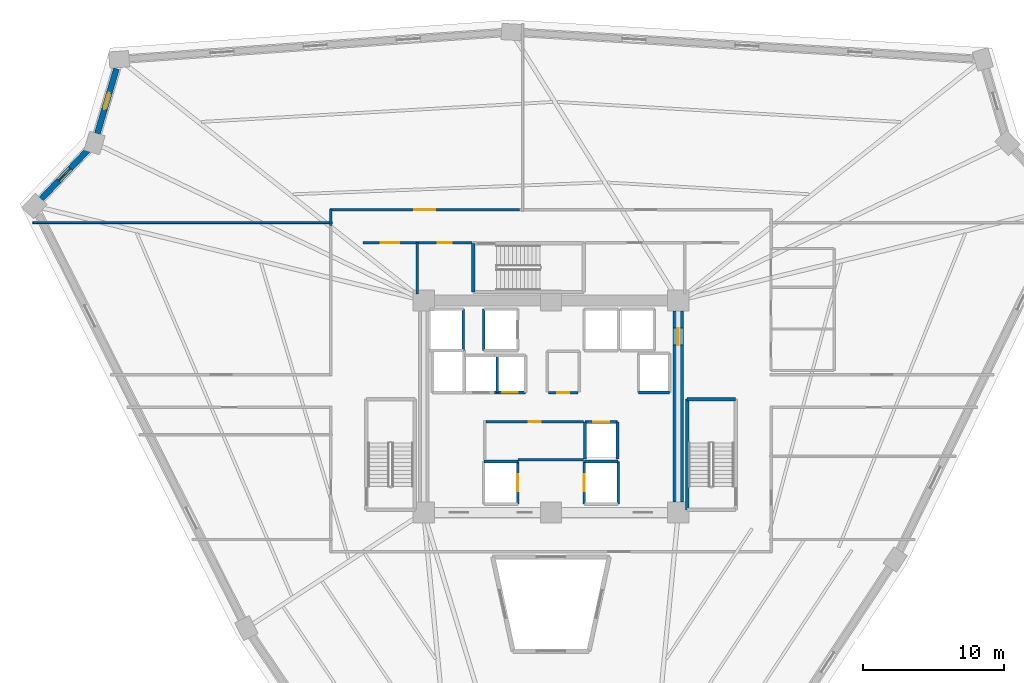
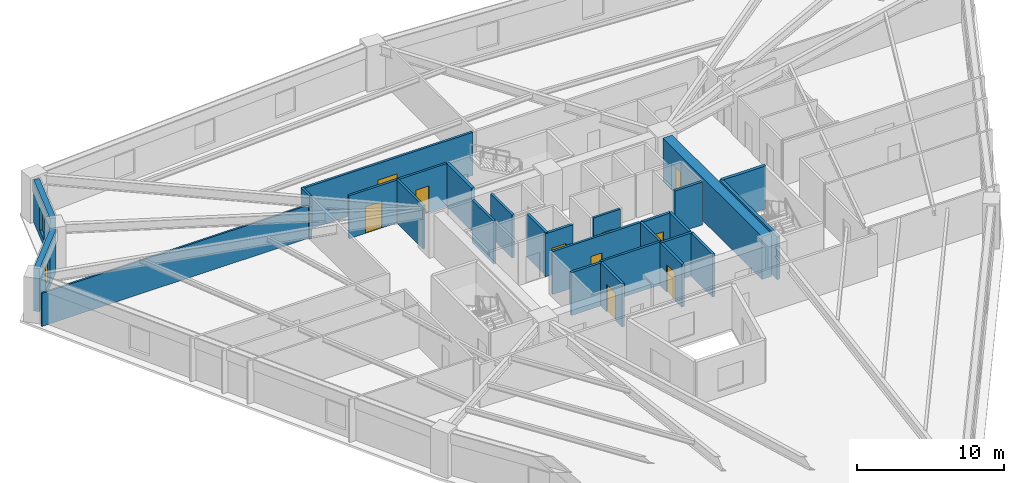
# One storey, part 4 of 7: 28 walls, 10 doors, 2 windows, 12 openings.
"""IFC4 building model written with IfcOpenShell, lengths in metres."""

from ifc_helpers import new_model, si_unit, direction, frame, frame_2d, origin, place, context, subcontext, project, spatial, rectangle, extrude, source, transform, mapped, material, layer, layer_set, type_object, element, fill, save


model = new_model("IFC4")

# Units and contexts
model_context = context("Model", 3, precision=1e-05, world=origin(), true_north=direction((0.0, 1.0)))
body_context = subcontext(model_context, "Body", "Model", "MODEL_VIEW")
ifc_project = project(units=[si_unit("LENGTHUNIT", "METRE"), si_unit("AREAUNIT", "SQUARE_METRE"), si_unit("VOLUMEUNIT", "CUBIC_METRE"), si_unit("PLANEANGLEUNIT", "RADIAN"), si_unit("MASSUNIT", "GRAM", prefix="KILO")], contexts=[model_context])

# Site, building, storey
site_placement = place(None, origin())
site = spatial("IfcSite", under=ifc_project, at=site_placement, CompositionType="ELEMENT")
building_placement = place(site_placement, origin())
building = spatial("IfcBuilding", under=site, at=building_placement, Name="Liaohun Quay Tower", CompositionType="ELEMENT")
storey_placement = place(building_placement, frame((0.0, 0.0, 117.0)))
storey = spatial("IfcBuildingStorey", under=building, at=storey_placement, Name="L30", CompositionType="ELEMENT", Elevation=117.0)

# Wall, opening, door
ifc_material_1 = material(Name="Concrete C60", Category="concrete")
ifc_layer_1 = layer(ifc_material_1, 0.75, Name="Concrete C60", Category="concrete")
ifc_layer_set_1 = layer_set([ifc_layer_1], Name="Concrete C60")
wall_type_1 = type_object("IfcWallType", Name="WAL-COR-Z2", PredefinedType="SHEAR", material=ifc_layer_set_1)
wall_1_placement = place(storey_placement, frame((69.0, 60.75, 0.0), z_axis=(0.0, 0.0, 1.0), x_axis=(0.0, -1.0, 0.0)))
wall_1 = element("IfcWall", 1, at=wall_1_placement, inside=storey, type_object=wall_type_1, Name="L30 Central Core Shear Wall E", PredefinedType="SHEAR", context=body_context, shape_type="SweptSolid", body=[
    extrude(rectangle(XDim=13.5, YDim=0.75, at=frame_2d((6.75, 0.0))), origin(), (0.0, 0.0, 1.0), 3.570068359375),
])
shared_shape_1 = source(origin(), body_context, "Body", "SweptSolid", [
    extrude(rectangle(XDim=1.199951171875, YDim=2.199951171875, at=frame_2d((0.60009765625, 1.10009765625))), frame((0.0, 0.385009765625, 0.0), z_axis=(0.0, -1.0, 0.0), x_axis=(1.0, 0.0, 0.0)), (0.0, 0.0, 1.0), 0.77001953125),
])
opening_1_placement = place(wall_1_placement, frame((1.199951171875, 0.0, 0.0)))
opening_1 = element("IfcOpeningElement", 2, at=opening_1_placement, cuts=wall_1, Name="Opening SD1", PredefinedType="OPENING", context=body_context, shape_type="MappedRepresentation", body=[
    mapped(shared_shape_1, transform((0.0, 0.0, 0.0), x_axis=(1.0, 0.0, 0.0), y_axis=(0.0, 1.0, 0.0), z_axis=(0.0, 0.0, 1.0), scale=1.0)),
])
ifc_material_2 = material(Name="Galvanised steel fire door", Category="steel")
door_type_1 = type_object("IfcDoorType", Name="DOR-STR-1200", OperationType="NOTDEFINED", PredefinedType="DOOR", material=ifc_material_2)
shared_shape_2 = source(origin(), body_context, "Body", "SweptSolid", [
    extrude(rectangle(XDim=1.199951171875, YDim=2.199951171875, at=frame_2d((0.60009765625, 1.10009765625))), frame((0.0, 0.02490234375, 0.0), z_axis=(0.0, -1.0, 0.0), x_axis=(1.0, 0.0, 0.0)), (0.0, 0.0, 1.0), 0.050048828125),
])
door_1_placement = place(opening_1_placement, origin())
door_1 = element("IfcDoor", 3, at=door_1_placement, inside=storey, type_object=door_type_1, Name="L30 North-East Core Lobby Smokeproof Door", OperationType="SINGLE_SWING_LEFT", OverallHeight=2.199951171875, OverallWidth=1.199951171875, PredefinedType="DOOR", context=body_context, shape_type="MappedRepresentation", body=[
    mapped(shared_shape_2, transform((0.0, 0.0, 0.0), x_axis=(1.0, 0.0, 0.0), y_axis=(0.0, 1.0, 0.0), z_axis=(0.0, 0.0, 1.0), scale=1.0)),
])
fill(opening_1, door_1)

# Wall, opening, window
ifc_material_3 = material(Name="Precast concrete C50 insulated sandwich", Category="concrete")
ifc_layer_2 = layer(ifc_material_3, 0.419921875, Name="Precast concrete C50 insulated sandwich", Category="concrete")
ifc_layer_set_2 = layer_set([ifc_layer_2], Name="Precast concrete C50 insulated sandwich")
wall_type_2 = type_object("IfcWallType", Name="WAL-EXT-Z12", PredefinedType="SOLIDWALL", material=ifc_layer_set_2)
wall_2_placement = place(storey_placement, frame((29.278076171875, 77.881103515625, 0.0), z_axis=(0.0, 0.0, 1.0), x_axis=(-0.282666457409, -0.959218261844, 0.0)))
wall_2 = element("IfcWall", 4, at=wall_2_placement, inside=storey, type_object=wall_type_2, Name="L30 Brutalist Precast Pier Wall 08", PredefinedType="SOLIDWALL", context=body_context, shape_type="SweptSolid", body=[
    extrude(rectangle(XDim=4.783203125, YDim=0.419921875, at=frame_2d((2.3916015625, 0.0))), origin(), (0.0, 0.0, 1.0), 3.570068359375),
])
shared_shape_3 = source(origin(), body_context, "Body", "SweptSolid", [
    extrude(rectangle(XDim=1.199951171875, YDim=1.89990234375, at=frame_2d((0.60009765625, 0.949951171875))), frame((0.0, 0.219970703125, 0.0), z_axis=(0.0, -1.0, 0.0), x_axis=(1.0, 0.0, 0.0)), (0.0, 0.0, 1.0), 0.43994140625),
])
opening_2_placement = place(wall_2_placement, frame((1.7919921875, 0.0, 0.550048828125)))
opening_2 = element("IfcOpeningElement", 5, at=opening_2_placement, cuts=wall_2, Name="Opening W05", PredefinedType="OPENING", context=body_context, shape_type="MappedRepresentation", body=[
    mapped(shared_shape_3, transform((0.0, 0.0, 0.0), x_axis=(1.0, 0.0, 0.0), y_axis=(0.0, 1.0, 0.0), z_axis=(0.0, 0.0, 1.0), scale=1.0)),
])
ifc_material_4 = material(Name="Triple Low-E corner notch glazing", Category="glass")
window_type = type_object("IfcWindowType", Name="WIN-NOTCH", PartitioningType="SINGLE_PANEL", PredefinedType="WINDOW", material=ifc_material_4)
shared_shape_4 = source(origin(), body_context, "Body", "SweptSolid", [
    extrude(rectangle(XDim=1.199951171875, YDim=1.89990234375, at=frame_2d((0.60009765625, 0.949951171875))), frame((0.0, 0.030029296875, 0.0), z_axis=(0.0, -1.0, 0.0), x_axis=(1.0, 0.0, 0.0)), (0.0, 0.0, 1.0), 0.06005859375),
])
window_1_placement = place(opening_2_placement, origin())
window_1 = element("IfcWindow", 6, at=window_1_placement, inside=storey, type_object=window_type, Name="L30 Corner Notch Window W05-08", OverallHeight=1.89990234375, OverallWidth=1.199951171875, PartitioningType="SINGLE_PANEL", PredefinedType="WINDOW", context=body_context, shape_type="MappedRepresentation", body=[
    mapped(shared_shape_4, transform((0.0, 0.0, 0.0), x_axis=(1.0, 0.0, 0.0), y_axis=(0.0, 1.0, 0.0), z_axis=(0.0, 0.0, 1.0), scale=1.0)),
])
fill(opening_2, window_1)

wall_3_placement = place(storey_placement, frame((27.2548828125, 72.131103515625, 0.0), z_axis=(0.0, 0.0, 1.0), x_axis=(-0.689175152742, -0.724594789412, 0.0)))
wall_3 = element("IfcWall", 7, at=wall_3_placement, inside=storey, type_object=wall_type_2, Name="L30 Brutalist Precast Pier Wall 09", PredefinedType="SOLIDWALL", context=body_context, shape_type="SweptSolid", body=[
    extrude(rectangle(XDim=4.776611328125, YDim=0.419921875, at=frame_2d((2.38818359375, 0.0))), origin(), (0.0, 0.0, 1.0), 3.570068359375),
])
opening_3_placement = place(wall_3_placement, frame((1.7880859375, 0.0, 0.550048828125)))
opening_3 = element("IfcOpeningElement", 8, at=opening_3_placement, cuts=wall_3, Name="Opening W05", PredefinedType="OPENING", context=body_context, shape_type="MappedRepresentation", body=[
    mapped(shared_shape_3, transform((0.0, 0.0, 0.0), x_axis=(1.0, 0.0, 0.0), y_axis=(0.0, 1.0, 0.0), z_axis=(0.0, 0.0, 1.0), scale=1.0)),
])
window_2_placement = place(opening_3_placement, origin())
window_2 = element("IfcWindow", 9, at=window_2_placement, inside=storey, type_object=window_type, Name="L30 Corner Notch Window W05-09", OverallHeight=1.89990234375, OverallWidth=1.199951171875, PartitioningType="SINGLE_PANEL", PredefinedType="WINDOW", context=body_context, shape_type="MappedRepresentation", body=[
    mapped(shared_shape_4, transform((0.0, 0.0, 0.0), x_axis=(1.0, 0.0, 0.0), y_axis=(0.0, 1.0, 0.0), z_axis=(0.0, 0.0, 1.0), scale=1.0)),
])
fill(opening_3, window_2)

# Wall, opening, door
ifc_material_5 = material(Name="Autoclaved aerated concrete blockwork", Category="masonry")
ifc_layer_3 = layer(ifc_material_5, 0.179931640625, Name="Autoclaved aerated concrete blockwork", Category="masonry")
ifc_layer_set_3 = layer_set([ifc_layer_3], Name="Autoclaved aerated concrete blockwork")
wall_type_3 = type_object("IfcWallType", Name="WAL-PRT-COR", PredefinedType="PARTITIONING", material=ifc_layer_set_3)
wall_4_placement = place(storey_placement, frame((55.389892578125, 52.919921875, 0.0), z_axis=(0.0, 0.0, 1.0), x_axis=(1.0, 0.0, 0.0)))
wall_4 = element("IfcWall", 10, at=wall_4_placement, inside=storey, type_object=wall_type_3, Name="L30 Interior Partition Wall 001", PredefinedType="PARTITIONING", context=body_context, shape_type="SweptSolid", body=[
    extrude(rectangle(XDim=6.91015625, YDim=0.179931640625, at=frame_2d((3.455078125, 0.0))), origin(), (0.0, 0.0, 1.0), 3.570068359375),
])
shared_shape_5 = source(origin(), body_context, "Body", "SweptSolid", [
    extrude(rectangle(XDim=0.85009765625, YDim=2.10009765625, at=frame_2d((0.425048828125, 1.050048828125))), frame((0.0, 0.099853515625, 0.0), z_axis=(0.0, -1.0, 0.0), x_axis=(1.0, 0.0, 0.0)), (0.0, 0.0, 1.0), 0.199951171875),
])
opening_4_placement = place(wall_4_placement, frame((3.034912109375, 0.0, 0.0)))
opening_4 = element("IfcOpeningElement", 11, at=opening_4_placement, cuts=wall_4, Name="Opening AD1", PredefinedType="OPENING", context=body_context, shape_type="MappedRepresentation", body=[
    mapped(shared_shape_5, transform((0.0, 0.0, 0.0), x_axis=(1.0, 0.0, 0.0), y_axis=(0.0, 1.0, 0.0), z_axis=(0.0, 0.0, 1.0), scale=1.0)),
])
ifc_material_6 = material(Name="Steel riser inspection fire door", Category="steel")
door_type_2 = type_object("IfcDoorType", Name="DOR-SHF-850", OperationType="NOTDEFINED", PredefinedType="DOOR", material=ifc_material_6)
shared_shape_6 = source(origin(), body_context, "Body", "SweptSolid", [
    extrude(rectangle(XDim=0.85009765625, YDim=2.10009765625, at=frame_2d((0.425048828125, 1.050048828125))), frame((0.0, 0.02490234375, 0.0), z_axis=(0.0, -1.0, 0.0), x_axis=(1.0, 0.0, 0.0)), (0.0, 0.0, 1.0), 0.050048828125),
])
door_2_placement = place(opening_4_placement, origin())
door_2 = element("IfcDoor", 12, at=door_2_placement, inside=storey, type_object=door_type_2, Name="L30 Core Tenant Storage and Archive Room Door", OperationType="SINGLE_SWING_RIGHT", OverallHeight=2.10009765625, OverallWidth=0.85009765625, PredefinedType="DOOR", context=body_context, shape_type="MappedRepresentation", body=[
    mapped(shared_shape_6, transform((0.0, 0.0, 0.0), x_axis=(1.0, 0.0, 0.0), y_axis=(0.0, 1.0, 0.0), z_axis=(0.0, 0.0, 1.0), scale=1.0)),
])
fill(opening_4, door_2)

wall_5_placement = place(storey_placement, frame((59.81005859375, 54.97998046875, 0.0), z_axis=(0.0, 0.0, 1.0), x_axis=(1.0, 0.0, 0.0)))
wall_5 = element("IfcWall", 13, at=wall_5_placement, inside=storey, type_object=wall_type_3, Name="L30 Interior Partition Wall 002", PredefinedType="PARTITIONING", context=body_context, shape_type="SweptSolid", body=[
    extrude(rectangle(XDim=2.10986328125, YDim=0.179931640625, at=frame_2d((1.054931640625, 0.0))), origin(), (0.0, 0.0, 1.0), 3.570068359375),
])
opening_5_placement = place(wall_5_placement, frame((0.635009765625, 0.0, 0.0)))
opening_5 = element("IfcOpeningElement", 14, at=opening_5_placement, cuts=wall_5, Name="Opening AD1", PredefinedType="OPENING", context=body_context, shape_type="MappedRepresentation", body=[
    mapped(shared_shape_5, transform((0.0, 0.0, 0.0), x_axis=(1.0, 0.0, 0.0), y_axis=(0.0, 1.0, 0.0), z_axis=(0.0, 0.0, 1.0), scale=1.0)),
])
door_3_placement = place(opening_5_placement, origin())
door_3 = element("IfcDoor", 15, at=door_3_placement, inside=storey, type_object=door_type_2, Name="L30 Core Electrical and Telecom Riser Room Door", OperationType="SINGLE_SWING_LEFT", OverallHeight=2.10009765625, OverallWidth=0.85009765625, PredefinedType="DOOR", context=body_context, shape_type="MappedRepresentation", body=[
    mapped(shared_shape_6, transform((0.0, 0.0, 0.0), x_axis=(1.0, 0.0, 0.0), y_axis=(0.0, 1.0, 0.0), z_axis=(0.0, 0.0, 1.0), scale=1.0)),
])
fill(opening_5, door_3)

wall_6_placement = place(storey_placement, frame((50.5400390625, 65.580078125, 0.0), z_axis=(0.0, 0.0, 1.0), x_axis=(1.0, 0.0, 0.0)))
wall_6 = element("IfcWall", 16, at=wall_6_placement, inside=storey, type_object=wall_type_3, Name="L30 Interior Partition Wall 006", PredefinedType="PARTITIONING", context=body_context, shape_type="SweptSolid", body=[
    extrude(rectangle(XDim=3.869873046875, YDim=0.179931640625, at=frame_2d((1.93505859375, 0.0))), origin(), (0.0, 0.0, 1.0), 3.570068359375),
])
shared_shape_7 = source(origin(), body_context, "Body", "SweptSolid", [
    extrude(rectangle(XDim=1.0, YDim=2.199951171875, at=frame_2d((0.5, 1.10009765625))), frame((0.0, 0.099853515625, 0.0), z_axis=(0.0, -1.0, 0.0), x_axis=(1.0, 0.0, 0.0)), (0.0, 0.0, 1.0), 0.199951171875),
])
opening_6_placement = place(wall_6_placement, frame((1.43505859375, 0.0, 0.0)))
opening_6 = element("IfcOpeningElement", 17, at=opening_6_placement, cuts=wall_6, Name="Opening OD1", PredefinedType="OPENING", context=body_context, shape_type="MappedRepresentation", body=[
    mapped(shared_shape_7, transform((0.0, 0.0, 0.0), x_axis=(1.0, 0.0, 0.0), y_axis=(0.0, 1.0, 0.0), z_axis=(0.0, 0.0, 1.0), scale=1.0)),
])
ifc_material_7 = material(Name="Solid-core oak veneer timber leaf in steel frame", Category="steel")
door_type_3 = type_object("IfcDoorType", Name="DOR-OFF-1000", OperationType="NOTDEFINED", PredefinedType="DOOR", material=ifc_material_7)
shared_shape_8 = source(origin(), body_context, "Body", "SweptSolid", [
    extrude(rectangle(XDim=1.0, YDim=2.199951171875, at=frame_2d((0.5, 1.10009765625))), frame((0.0, 0.02490234375, 0.0), z_axis=(0.0, -1.0, 0.0), x_axis=(1.0, 0.0, 0.0)), (0.0, 0.0, 1.0), 0.050048828125),
])
door_4_placement = place(opening_6_placement, origin())
door_4 = element("IfcDoor", 18, at=door_4_placement, inside=storey, type_object=door_type_3, Name="L30 North-West Print and Telecom Room Door", OperationType="SINGLE_SWING_LEFT", OverallHeight=2.199951171875, OverallWidth=1.0, PredefinedType="DOOR", context=body_context, shape_type="MappedRepresentation", body=[
    mapped(shared_shape_8, transform((0.0, 0.0, 0.0), x_axis=(1.0, 0.0, 0.0), y_axis=(0.0, 1.0, 0.0), z_axis=(0.0, 0.0, 1.0), scale=1.0)),
])
fill(opening_6, door_4)

wall_7_placement = place(storey_placement, frame((46.699951171875, 65.580078125, 0.0), z_axis=(0.0, 0.0, 1.0), x_axis=(1.0, 0.0, 0.0)))
wall_7 = element("IfcWall", 19, at=wall_7_placement, inside=storey, type_object=wall_type_3, Name="L30 Interior Partition Wall 008", PredefinedType="PARTITIONING", context=body_context, shape_type="SweptSolid", body=[
    extrude(rectangle(XDim=3.840087890625, YDim=0.179931640625, at=frame_2d((1.919921875, 0.0))), origin(), (0.0, 0.0, 1.0), 3.570068359375),
])
shared_shape_9 = source(origin(), body_context, "Body", "SweptSolid", [
    extrude(rectangle(XDim=1.300048828125, YDim=2.199951171875, at=frame_2d((0.64990234375, 1.10009765625))), frame((0.0, 0.099853515625, 0.0), z_axis=(0.0, -1.0, 0.0), x_axis=(1.0, 0.0, 0.0)), (0.0, 0.0, 1.0), 0.199951171875),
])
opening_7_placement = place(wall_7_placement, frame((1.27001953125, 0.0, 0.0)))
opening_7 = element("IfcOpeningElement", 20, at=opening_7_placement, cuts=wall_7, Name="Opening FD1", PredefinedType="OPENING", context=body_context, shape_type="MappedRepresentation", body=[
    mapped(shared_shape_9, transform((0.0, 0.0, 0.0), x_axis=(1.0, 0.0, 0.0), y_axis=(0.0, 1.0, 0.0), z_axis=(0.0, 0.0, 1.0), scale=1.0)),
])
ifc_material_8 = material(Name="Galvanised steel smokeproof fire door", Category="steel")
door_type_4 = type_object("IfcDoorType", Name="DOR-FFL-1300", OperationType="NOTDEFINED", PredefinedType="DOOR", material=ifc_material_8)
shared_shape_10 = source(origin(), body_context, "Body", "SweptSolid", [
    extrude(rectangle(XDim=1.300048828125, YDim=2.199951171875, at=frame_2d((0.64990234375, 1.10009765625))), frame((0.0, 0.02490234375, 0.0), z_axis=(0.0, -1.0, 0.0), x_axis=(1.0, 0.0, 0.0)), (0.0, 0.0, 1.0), 0.050048828125),
])
door_5_placement = place(opening_7_placement, origin())
door_5 = element("IfcDoor", 21, at=door_5_placement, inside=storey, type_object=door_type_4, Name="L30 West Core Vestibule Door", OperationType="SINGLE_SWING_LEFT", OverallHeight=2.199951171875, OverallWidth=1.300048828125, PredefinedType="DOOR", context=body_context, shape_type="MappedRepresentation", body=[
    mapped(shared_shape_10, transform((0.0, 0.0, 0.0), x_axis=(1.0, 0.0, 0.0), y_axis=(0.0, 1.0, 0.0), z_axis=(0.0, 0.0, 1.0), scale=1.0)),
])
fill(opening_7, door_5)

wall_8_placement = place(storey_placement, frame((44.3701171875, 67.909912109375, 0.0), z_axis=(0.0, 0.0, 1.0), x_axis=(1.0, 0.0, 0.0)))
wall_8 = element("IfcWall", 22, at=wall_8_placement, inside=storey, type_object=wall_type_3, Name="L30 Interior Partition Wall 012", PredefinedType="PARTITIONING", context=body_context, shape_type="SweptSolid", body=[
    extrude(rectangle(XDim=13.414794921875, YDim=0.179931640625, at=frame_2d((6.70751953125, 0.0))), origin(), (0.0, 0.0, 1.0), 3.570068359375),
])
shared_shape_11 = source(origin(), body_context, "Body", "SweptSolid", [
    extrude(rectangle(XDim=1.5, YDim=2.199951171875, at=frame_2d((0.75, 1.10009765625))), frame((0.0, 0.099853515625, 0.0), z_axis=(0.0, -1.0, 0.0), x_axis=(1.0, 0.0, 0.0)), (0.0, 0.0, 1.0), 0.199951171875),
])
opening_8_placement = place(wall_8_placement, frame((5.95703125, 0.0, 0.0)))
opening_8 = element("IfcOpeningElement", 23, at=opening_8_placement, cuts=wall_8, Name="Opening OD2", PredefinedType="OPENING", context=body_context, shape_type="MappedRepresentation", body=[
    mapped(shared_shape_11, transform((0.0, 0.0, 0.0), x_axis=(1.0, 0.0, 0.0), y_axis=(0.0, 1.0, 0.0), z_axis=(0.0, 0.0, 1.0), scale=1.0)),
])
ifc_material_9 = material(Name="Acoustic oak veneer double door")
door_type_5 = type_object("IfcDoorType", Name="DOR-OFF-1500", OperationType="DOUBLE_DOOR_SINGLE_SWING", PredefinedType="DOOR", material=ifc_material_9)
shared_shape_12 = source(origin(), body_context, "Body", "SweptSolid", [
    extrude(rectangle(XDim=1.5, YDim=2.199951171875, at=frame_2d((0.75, 1.10009765625))), frame((0.0, 0.02490234375, 0.0), z_axis=(0.0, -1.0, 0.0), x_axis=(1.0, 0.0, 0.0)), (0.0, 0.0, 1.0), 0.050048828125),
])
door_6_placement = place(opening_8_placement, origin())
door_6 = element("IfcDoor", 24, at=door_6_placement, inside=storey, type_object=door_type_5, Name="L30 Technical Reference Library 03 Door", OperationType="DOUBLE_DOOR_SINGLE_SWING", OverallHeight=2.199951171875, OverallWidth=1.5, PredefinedType="DOOR", context=body_context, shape_type="MappedRepresentation", body=[
    mapped(shared_shape_12, transform((0.0, 0.0, 0.0), x_axis=(1.0, 0.0, 0.0), y_axis=(0.0, 1.0, 0.0), z_axis=(0.0, 0.0, 1.0), scale=1.0)),
])
fill(opening_8, door_6)

# Walls
wall_9_placement = place(storey_placement, frame((50.5400390625, 61.949951171875, 0.0), z_axis=(0.0, 0.0, 1.0), x_axis=(0.0, 1.0, 0.0)))
element("IfcWall", 25, at=wall_9_placement, inside=storey, type_object=wall_type_3, Name="L30 Interior Partition Wall 027", PredefinedType="PARTITIONING", context=body_context, shape_type="SweptSolid", body=[
    extrude(rectangle(XDim=3.630126953125, YDim=0.179931640625, at=frame_2d((1.81494140625, 0.0))), origin(), (0.0, 0.0, 1.0), 3.570068359375),
])
wall_10_placement = place(storey_placement, frame((44.43994140625, 66.784912109375, 0.0), z_axis=(0.0, 0.0, 1.0), x_axis=(0.0, 1.0, 0.0)))
element("IfcWall", 26, at=wall_10_placement, inside=storey, type_object=wall_type_3, Name="L30 Interior Partition Wall 031", PredefinedType="PARTITIONING", context=body_context, shape_type="SweptSolid", body=[
    extrude(rectangle(XDim=1.195068359375, YDim=0.179931640625, at=frame_2d((0.59765625, 0.0))), origin(), (0.0, 0.0, 1.0), 3.570068359375),
])
wall_11_placement = place(storey_placement, frame((57.64990234375, 50.25, 0.0), z_axis=(0.0, 0.0, 1.0), x_axis=(1.0, 0.0, 0.0)))
element("IfcWall", 27, at=wall_11_placement, inside=storey, type_object=wall_type_3, Name="L30 Interior Partition Wall 045", PredefinedType="PARTITIONING", context=body_context, shape_type="SweptSolid", body=[
    extrude(rectangle(XDim=4.650146484375, YDim=0.179931640625, at=frame_2d((2.3251953125, 0.0))), origin(), (0.0, 0.0, 1.0), 3.570068359375),
])
ifc_material_10 = material(Name="Gypsum board on twin steel studs", Category="steel")
ifc_layer_4 = layer(ifc_material_10, 0.139892578125, Name="Gypsum board on twin steel studs", Category="steel")
ifc_layer_set_4 = layer_set([ifc_layer_4], Name="Gypsum board on twin steel studs")
wall_type_4 = type_object("IfcWallType", Name="WAL-PRT-OFF", PredefinedType="PARTITIONING", material=ifc_layer_set_4)
wall_12_placement = place(storey_placement, frame((44.5400390625, 67.0, 0.0), z_axis=(0.0, 0.0, 1.0), x_axis=(-1.0, 0.0, 0.0)))
element("IfcWall", 28, at=wall_12_placement, inside=storey, type_object=wall_type_4, Name="L30 Interior Partition Wall 039", PredefinedType="PARTITIONING", context=body_context, shape_type="SweptSolid", body=[
    extrude(rectangle(XDim=21.169921875, YDim=0.139892578125, at=frame_2d((10.5849609375, 0.0))), origin(), (0.0, 0.0, 1.0), 2.7548828125),
])
ifc_material_11 = material(Name="Concrete C50", Category="concrete")
ifc_layer_5 = layer(ifc_material_11, 0.239990234375, Name="Concrete C50", Category="concrete")
ifc_layer_set_5 = layer_set([ifc_layer_5], Name="Concrete C50")
wall_type_5 = type_object("IfcWallType", Name="WAL-SHF-200", PredefinedType="SOLIDWALL", material=ifc_layer_set_5)
wall_13_placement = place(storey_placement, frame((73.06005859375, 54.52001953125, 0.0), z_axis=(0.0, 0.0, 1.0), x_axis=(-1.0, 0.0, 0.0)))
element("IfcWall", 29, at=wall_13_placement, inside=storey, type_object=wall_type_5, Name="L30 Stairwell ST-2 Structural Core Wall N", PredefinedType="SOLIDWALL", context=body_context, shape_type="SweptSolid", body=[
    extrude(rectangle(XDim=3.43994140625, YDim=0.239990234375, at=frame_2d((1.719970703125, 0.0))), origin(), (0.0, 0.0, 1.0), 3.570068359375),
])
wall_14_placement = place(storey_placement, frame((69.6201171875, 54.52001953125, 0.0), z_axis=(0.0, 0.0, 1.0), x_axis=(0.0, -1.0, 0.0)))
element("IfcWall", 30, at=wall_14_placement, inside=storey, type_object=wall_type_5, Name="L30 Stairwell ST-2 Structural Core Wall W", PredefinedType="SOLIDWALL", context=body_context, shape_type="SweptSolid", body=[
    extrude(rectangle(XDim=7.820068359375, YDim=0.239990234375, at=frame_2d((3.91015625, 0.0))), origin(), (0.0, 0.0, 1.0), 3.570068359375),
])
wall_15_placement = place(storey_placement, frame((54.5, 65.5400390625, 0.0), z_axis=(0.0, 0.0, 1.0), x_axis=(0.0, -1.0, 0.0)))
element("IfcWall", 31, at=wall_15_placement, inside=storey, type_object=wall_type_5, Name="L30 Stairwell ST-3 Structural Core Wall W", PredefinedType="SOLIDWALL", context=body_context, shape_type="SweptSolid", body=[
    extrude(rectangle(XDim=3.43994140625, YDim=0.239990234375, at=frame_2d((1.719970703125, 0.0))), origin(), (0.0, 0.0, 1.0), 3.570068359375),
])

# Wall, opening, door
wall_16_placement = place(storey_placement, frame((57.64990234375, 47.1201171875, 0.0), z_axis=(0.0, 0.0, 1.0), x_axis=(0.0, 1.0, 0.0)))
wall_16 = element("IfcWall", 32, at=wall_16_placement, inside=storey, type_object=wall_type_5, Name="L30 Lift FF-01 Hoistway Wall E", PredefinedType="SOLIDWALL", context=body_context, shape_type="SweptSolid", body=[
    extrude(rectangle(XDim=3.0, YDim=0.199951171875, at=frame_2d((1.5, 0.0))), origin(), (0.0, 0.0, 1.0), 3.570068359375),
])
shared_shape_13 = source(origin(), body_context, "Body", "SweptSolid", [
    extrude(rectangle(XDim=1.199951171875, YDim=2.300048828125, at=frame_2d((0.60009765625, 1.14990234375))), frame((0.0, 0.10986328125, 0.0), z_axis=(0.0, -1.0, 0.0), x_axis=(1.0, 0.0, 0.0)), (0.0, 0.0, 1.0), 0.219970703125),
])
opening_9_placement = place(wall_16_placement, frame((0.89990234375, 0.0, 0.0)))
opening_9 = element("IfcOpeningElement", 33, at=opening_9_placement, cuts=wall_16, Name="Opening LD2", PredefinedType="OPENING", context=body_context, shape_type="MappedRepresentation", body=[
    mapped(shared_shape_13, transform((0.0, 0.0, 0.0), x_axis=(1.0, 0.0, 0.0), y_axis=(0.0, 1.0, 0.0), z_axis=(0.0, 0.0, 1.0), scale=1.0)),
])
ifc_material_12 = material(Name="Brushed stainless steel stretcher landing door", Category="steel")
door_type_6 = type_object("IfcDoorType", Name="DOR-LFT-1200", OperationType="SLIDING_TO_LEFT", PredefinedType="DOOR", material=ifc_material_12)
shared_shape_14 = source(origin(), body_context, "Body", "SweptSolid", [
    extrude(rectangle(XDim=1.199951171875, YDim=2.300048828125, at=frame_2d((0.60009765625, 1.14990234375))), frame((0.0, 0.02490234375, 0.0), z_axis=(0.0, -1.0, 0.0), x_axis=(1.0, 0.0, 0.0)), (0.0, 0.0, 1.0), 0.050048828125),
])
door_7_placement = place(opening_9_placement, origin())
door_7 = element("IfcDoor", 34, at=door_7_placement, inside=storey, type_object=door_type_6, Name="L30 Lift FF-01 Sliding Landing Door", OperationType="SLIDING_TO_LEFT", OverallHeight=2.300048828125, OverallWidth=1.199951171875, PredefinedType="DOOR", context=body_context, shape_type="MappedRepresentation", body=[
    mapped(shared_shape_14, transform((0.0, 0.0, 0.0), x_axis=(1.0, 0.0, 0.0), y_axis=(0.0, 1.0, 0.0), z_axis=(0.0, 0.0, 1.0), scale=1.0)),
])
fill(opening_9, door_7)

# Walls
wall_17_placement = place(storey_placement, frame((57.64990234375, 50.1201171875, 0.0), z_axis=(0.0, 0.0, 1.0), x_axis=(-1.0, 0.0, 0.0)))
element("IfcWall", 35, at=wall_17_placement, inside=storey, type_object=wall_type_5, Name="L30 Lift FF-01 Hoistway Wall N", PredefinedType="SOLIDWALL", context=body_context, shape_type="SweptSolid", body=[
    extrude(rectangle(XDim=2.39990234375, YDim=0.199951171875, at=frame_2d((1.199951171875, 0.0))), origin(), (0.0, 0.0, 1.0), 3.570068359375),
])
wall_18_placement = place(storey_placement, frame((64.75, 47.1201171875, 0.0), z_axis=(0.0, 0.0, 1.0), x_axis=(0.0, 1.0, 0.0)))
element("IfcWall", 36, at=wall_18_placement, inside=storey, type_object=wall_type_5, Name="L30 Lift FF-02 Hoistway Wall E", PredefinedType="SOLIDWALL", context=body_context, shape_type="SweptSolid", body=[
    extrude(rectangle(XDim=3.0, YDim=0.199951171875, at=frame_2d((1.5, 0.0))), origin(), (0.0, 0.0, 1.0), 3.570068359375),
])
wall_19_placement = place(storey_placement, frame((64.75, 50.1201171875, 0.0), z_axis=(0.0, 0.0, 1.0), x_axis=(-1.0, 0.0, 0.0)))
element("IfcWall", 37, at=wall_19_placement, inside=storey, type_object=wall_type_5, Name="L30 Lift FF-02 Hoistway Wall N", PredefinedType="SOLIDWALL", context=body_context, shape_type="SweptSolid", body=[
    extrude(rectangle(XDim=2.39990234375, YDim=0.199951171875, at=frame_2d((1.199951171875, 0.0))), origin(), (0.0, 0.0, 1.0), 3.570068359375),
])

# Wall, opening, door
wall_20_placement = place(storey_placement, frame((62.35009765625, 50.1201171875, 0.0), z_axis=(0.0, 0.0, 1.0), x_axis=(0.0, -1.0, 0.0)))
wall_20 = element("IfcWall", 38, at=wall_20_placement, inside=storey, type_object=wall_type_5, Name="L30 Lift FF-02 Hoistway Wall W", PredefinedType="SOLIDWALL", context=body_context, shape_type="SweptSolid", body=[
    extrude(rectangle(XDim=3.0, YDim=0.199951171875, at=frame_2d((1.5, 0.0))), origin(), (0.0, 0.0, 1.0), 3.570068359375),
])
opening_10_placement = place(wall_20_placement, frame((0.89990234375, 0.0, 0.0)))
opening_10 = element("IfcOpeningElement", 39, at=opening_10_placement, cuts=wall_20, Name="Opening LD2", PredefinedType="OPENING", context=body_context, shape_type="MappedRepresentation", body=[
    mapped(shared_shape_13, transform((0.0, 0.0, 0.0), x_axis=(1.0, 0.0, 0.0), y_axis=(0.0, 1.0, 0.0), z_axis=(0.0, 0.0, 1.0), scale=1.0)),
])
door_8_placement = place(opening_10_placement, origin())
door_8 = element("IfcDoor", 40, at=door_8_placement, inside=storey, type_object=door_type_6, Name="L30 Lift FF-02 Sliding Landing Door", OperationType="SLIDING_TO_LEFT", OverallHeight=2.300048828125, OverallWidth=1.199951171875, PredefinedType="DOOR", context=body_context, shape_type="MappedRepresentation", body=[
    mapped(shared_shape_14, transform((0.0, 0.0, 0.0), x_axis=(1.0, 0.0, 0.0), y_axis=(0.0, 1.0, 0.0), z_axis=(0.0, 0.0, 1.0), scale=1.0)),
])
fill(opening_10, door_8)

# Walls
for number, where, z_axis, x_axis, name in (
    (41, (55.25, 60.8798828125, 0.0), (0.0, 0.0, 1.0), (0.0, -1.0, 0.0), "L30 Lift FF-03 Hoistway Wall W"),
    (42, (53.800048828125, 57.949951171875, 0.0), (0.0, 0.0, 1.0), (0.0, 1.0, 0.0), "L30 Lift SH-01 Hoistway Wall E"),
):
    element("IfcWall", number, at=place(storey_placement, frame(where, z_axis=z_axis, x_axis=x_axis)), inside=storey, type_object=wall_type_5, Name=name, PredefinedType="SOLIDWALL", context=body_context, shape_type="SweptSolid", body=[
        extrude(rectangle(XDim=2.929931640625, YDim=0.199951171875, at=frame_2d((1.46484375, 0.0))), origin(), (0.0, 0.0, 1.0), 3.570068359375),
    ])
wall_21_placement = place(storey_placement, frame((66.199951171875, 55.0, 0.0), z_axis=(0.0, 0.0, 1.0), x_axis=(1.0, 0.0, 0.0)))
element("IfcWall", 43, at=wall_21_placement, inside=storey, type_object=wall_type_5, Name="L30 Lift SH-03 Hoistway Wall S", PredefinedType="SOLIDWALL", context=body_context, shape_type="SweptSolid", body=[
    extrude(rectangle(XDim=2.179931640625, YDim=0.199951171875, at=frame_2d((1.08984375, 0.0))), origin(), (0.0, 0.0, 1.0), 3.570068359375),
])
wall_22_placement = place(storey_placement, frame((64.699951171875, 50.300048828125, 0.0), z_axis=(0.0, 0.0, 1.0), x_axis=(0.0, 1.0, 0.0)))
element("IfcWall", 44, at=wall_22_placement, inside=storey, type_object=wall_type_5, Name="L30 Lift PL-2A Hoistway Wall E", PredefinedType="SOLIDWALL", context=body_context, shape_type="SweptSolid", body=[
    extrude(rectangle(XDim=2.599853515625, YDim=0.199951171875, at=frame_2d((1.2998046875, 0.0))), origin(), (0.0, 0.0, 1.0), 3.570068359375),
])

# Wall, opening, door
wall_23_placement = place(storey_placement, frame((64.699951171875, 52.89990234375, 0.0), z_axis=(0.0, 0.0, 1.0), x_axis=(-1.0, 0.0, 0.0)))
wall_23 = element("IfcWall", 45, at=wall_23_placement, inside=storey, type_object=wall_type_5, Name="L30 Lift PL-2A Hoistway Wall N", PredefinedType="SOLIDWALL", context=body_context, shape_type="SweptSolid", body=[
    extrude(rectangle(XDim=2.300048828125, YDim=0.199951171875, at=frame_2d((1.14990234375, 0.0))), origin(), (0.0, 0.0, 1.0), 3.570068359375),
])
shared_shape_15 = source(origin(), body_context, "Body", "SweptSolid", [
    extrude(rectangle(XDim=1.10009765625, YDim=2.199951171875, at=frame_2d((0.550048828125, 1.10009765625))), frame((0.0, 0.10986328125, 0.0), z_axis=(0.0, -1.0, 0.0), x_axis=(1.0, 0.0, 0.0)), (0.0, 0.0, 1.0), 0.219970703125),
])
opening_11_placement = place(wall_23_placement, frame((0.60009765625, 0.0, 0.0)))
opening_11 = element("IfcOpeningElement", 46, at=opening_11_placement, cuts=wall_23, Name="Opening LD1", PredefinedType="OPENING", context=body_context, shape_type="MappedRepresentation", body=[
    mapped(shared_shape_15, transform((0.0, 0.0, 0.0), x_axis=(1.0, 0.0, 0.0), y_axis=(0.0, 1.0, 0.0), z_axis=(0.0, 0.0, 1.0), scale=1.0)),
])
ifc_material_13 = material(Name="Brushed stainless steel landing door", Category="steel")
door_type_7 = type_object("IfcDoorType", Name="DOR-LFT-1100", OperationType="SLIDING_TO_LEFT", PredefinedType="DOOR", material=ifc_material_13)
shared_shape_16 = source(origin(), body_context, "Body", "SweptSolid", [
    extrude(rectangle(XDim=1.10009765625, YDim=2.199951171875, at=frame_2d((0.550048828125, 1.10009765625))), frame((0.0, 0.02490234375, 0.0), z_axis=(0.0, -1.0, 0.0), x_axis=(1.0, 0.0, 0.0)), (0.0, 0.0, 1.0), 0.050048828125),
])
door_9_placement = place(opening_11_placement, origin())
door_9 = element("IfcDoor", 47, at=door_9_placement, inside=storey, type_object=door_type_7, Name="L30 Lift PL-2A Sliding Landing Door", OperationType="SLIDING_TO_LEFT", OverallHeight=2.199951171875, OverallWidth=1.10009765625, PredefinedType="DOOR", context=body_context, shape_type="MappedRepresentation", body=[
    mapped(shared_shape_16, transform((0.0, 0.0, 0.0), x_axis=(1.0, 0.0, 0.0), y_axis=(0.0, 1.0, 0.0), z_axis=(0.0, 0.0, 1.0), scale=1.0)),
])
fill(opening_11, door_9)

# Walls
wall_24_placement = place(storey_placement, frame((62.39990234375, 52.89990234375, 0.0), z_axis=(0.0, 0.0, 1.0), x_axis=(0.0, -1.0, 0.0)))
element("IfcWall", 48, at=wall_24_placement, inside=storey, type_object=wall_type_5, Name="L30 Lift PL-2A Hoistway Wall W", PredefinedType="SOLIDWALL", context=body_context, shape_type="SweptSolid", body=[
    extrude(rectangle(XDim=2.599853515625, YDim=0.199951171875, at=frame_2d((1.2998046875, 0.0))), origin(), (0.0, 0.0, 1.0), 3.570068359375),
])
wall_25_placement = place(storey_placement, frame((56.199951171875, 55.0, 0.0), z_axis=(0.0, 0.0, 1.0), x_axis=(0.0, 1.0, 0.0)))
element("IfcWall", 49, at=wall_25_placement, inside=storey, type_object=wall_type_5, Name="L30 Lift PL-2B Hoistway Wall E", PredefinedType="SOLIDWALL", context=body_context, shape_type="SweptSolid", body=[
    extrude(rectangle(XDim=2.60009765625, YDim=0.199951171875, at=frame_2d((1.300048828125, 0.0))), origin(), (0.0, 0.0, 1.0), 3.570068359375),
])

# Wall, opening, door
wall_26_placement = place(storey_placement, frame((56.0, 55.0, 0.0), z_axis=(0.0, 0.0, 1.0), x_axis=(1.0, 0.0, 0.0)))
wall_26 = element("IfcWall", 50, at=wall_26_placement, inside=storey, type_object=wall_type_5, Name="L30 Lift PL-2C Hoistway Wall S", PredefinedType="SOLIDWALL", context=body_context, shape_type="SweptSolid", body=[
    extrude(rectangle(XDim=2.199951171875, YDim=0.199951171875, at=frame_2d((1.10009765625, 0.0))), origin(), (0.0, 0.0, 1.0), 3.570068359375),
])
opening_12_placement = place(wall_26_placement, frame((0.550048828125, 0.0, 0.0)))
opening_12 = element("IfcOpeningElement", 51, at=opening_12_placement, cuts=wall_26, Name="Opening LD1", PredefinedType="OPENING", context=body_context, shape_type="MappedRepresentation", body=[
    mapped(shared_shape_15, transform((0.0, 0.0, 0.0), x_axis=(1.0, 0.0, 0.0), y_axis=(0.0, 1.0, 0.0), z_axis=(0.0, 0.0, 1.0), scale=1.0)),
])
door_10_placement = place(opening_12_placement, origin())
door_10 = element("IfcDoor", 52, at=door_10_placement, inside=storey, type_object=door_type_7, Name="L30 Lift PL-2C Sliding Landing Door", OperationType="SLIDING_TO_LEFT", OverallHeight=2.199951171875, OverallWidth=1.10009765625, PredefinedType="DOOR", context=body_context, shape_type="MappedRepresentation", body=[
    mapped(shared_shape_16, transform((0.0, 0.0, 0.0), x_axis=(1.0, 0.0, 0.0), y_axis=(0.0, 1.0, 0.0), z_axis=(0.0, 0.0, 1.0), scale=1.0)),
])
fill(opening_12, door_10)

save(model, "model.ifc")
